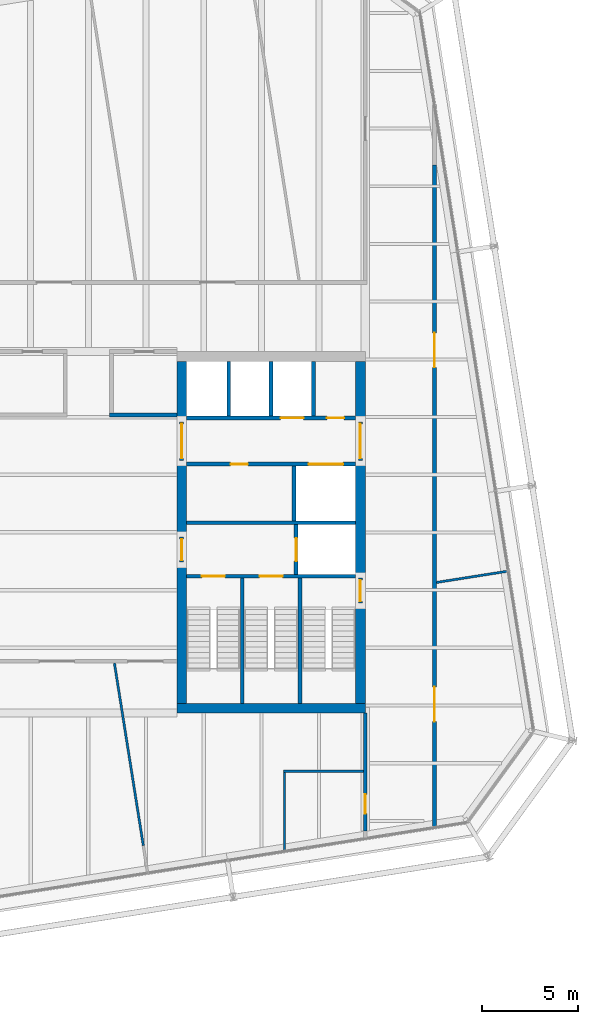
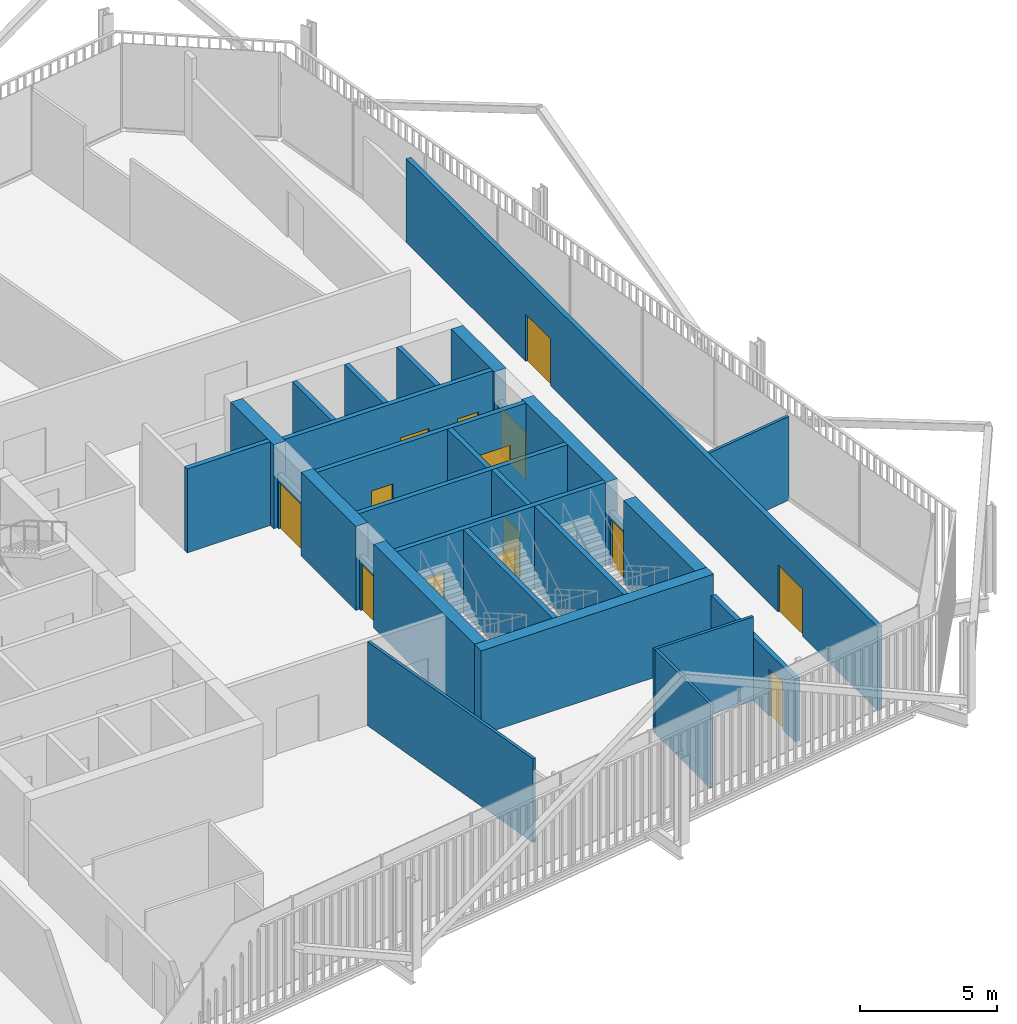
# One storey, part 18 of 21: 29 walls, 14 doors, 14 openings.
"""IFC4 building model written with IfcOpenShell, lengths in metres."""

from ifc_helpers import new_model, si_unit, direction, frame, frame_2d, origin, place, context, subcontext, project, spatial, rectangle, extrude, material, layer, layer_set, type_object, element, fill, save


model = new_model("IFC4")

# Units and contexts
model_context = context("Model", 3, precision=1e-05, world=origin(), true_north=direction((0.0, 1.0)))
body_context = subcontext(model_context, "Body", "Model", "MODEL_VIEW")
ifc_project = project(units=[si_unit("LENGTHUNIT", "METRE"), si_unit("AREAUNIT", "SQUARE_METRE"), si_unit("VOLUMEUNIT", "CUBIC_METRE"), si_unit("PLANEANGLEUNIT", "RADIAN"), si_unit("MASSUNIT", "GRAM", prefix="KILO")], contexts=[model_context])

# Site, building, storey
site_placement = place(None, origin())
site = spatial("IfcSite", under=ifc_project, at=site_placement, CompositionType="ELEMENT")
building_placement = place(site_placement, origin())
building = spatial("IfcBuilding", under=site, at=building_placement, Name="Millrace Tower", CompositionType="ELEMENT")
storey_placement = place(building_placement, frame((0.0, 0.0, 220.300048828125)))
storey = spatial("IfcBuildingStorey", under=building, at=storey_placement, Name="L50", CompositionType="ELEMENT", Elevation=220.300048828125)

# Walls
ifc_material_1 = material(Name="Concrete C60", Category="concrete")
ifc_layer_1 = layer(ifc_material_1, 0.5)
ifc_layer_set_1 = layer_set([ifc_layer_1], Name="Concrete C60")
wall_type_1 = type_object("IfcWallType", Name="Core wall 500 Concrete C60", PredefinedType="SHEAR", material=ifc_layer_set_1)
wall_1_placement = place(storey_placement, frame((14.39990234375, -9.14990234375, 0.0), z_axis=(0.0, 0.0, 1.0), x_axis=(-1.0, 0.0, 0.0)))
element("IfcWall", 1, at=wall_1_placement, inside=storey, type_object=wall_type_1, Name="Core wall E L50", PredefinedType="SHEAR", context=body_context, shape_type="SweptSolid", body=[
    extrude(rectangle(XDim=9.7998046875, YDim=0.5, at=frame_2d((4.89990234375, 0.0))), origin(), (0.0, 0.0, 1.0), 3.739990234375),
])
wall_2_placement = place(storey_placement, frame((14.14990234375, 8.89990234375, 0.0), z_axis=(0.0, 0.0, 1.0), x_axis=(0.0, -1.0, 0.0)))
element("IfcWall", 2, at=wall_2_placement, inside=storey, type_object=wall_type_1, Name="Core wall E L50", PredefinedType="SHEAR", context=body_context, shape_type="SweptSolid", body=[
    extrude(rectangle(XDim=3.14990234375, YDim=0.5, at=frame_2d((1.574951171875, 0.0))), origin(), (0.0, 0.0, 1.0), 3.739990234375),
])
wall_3_placement = place(storey_placement, frame((14.14990234375, 3.75, 0.0), z_axis=(0.0, 0.0, 1.0), x_axis=(0.0, -1.0, 0.0)))
element("IfcWall", 3, at=wall_3_placement, inside=storey, type_object=wall_type_1, Name="Core wall E L50", PredefinedType="SHEAR", context=body_context, shape_type="SweptSolid", body=[
    extrude(rectangle(XDim=6.1298828125, YDim=0.5, at=frame_2d((3.06494140625, 0.0))), origin(), (0.0, 0.0, 1.0), 3.739990234375),
])
wall_4_placement = place(storey_placement, frame((14.14990234375, -3.679931640625, 0.0), z_axis=(0.0, 0.0, 1.0), x_axis=(0.0, -1.0, 0.0)))
element("IfcWall", 4, at=wall_4_placement, inside=storey, type_object=wall_type_1, Name="Core wall E L50", PredefinedType="SHEAR", context=body_context, shape_type="SweptSolid", body=[
    extrude(rectangle(XDim=5.219970703125, YDim=0.5, at=frame_2d((2.60986328125, 0.0))), origin(), (0.0, 0.0, 1.0), 3.739990234375),
])
wall_5_placement = place(storey_placement, frame((4.85009765625, 8.89990234375, 0.0), z_axis=(0.0, 0.0, 1.0), x_axis=(0.0, -1.0, 0.0)))
element("IfcWall", 5, at=wall_5_placement, inside=storey, type_object=wall_type_1, Name="Core wall E L50", PredefinedType="SHEAR", context=body_context, shape_type="SweptSolid", body=[
    extrude(rectangle(XDim=3.14990234375, YDim=0.5, at=frame_2d((1.574951171875, 0.0))), origin(), (0.0, 0.0, 1.0), 3.739990234375),
])
wall_6_placement = place(storey_placement, frame((4.85009765625, 3.75, 0.0), z_axis=(0.0, 0.0, 1.0), x_axis=(0.0, -1.0, 0.0)))
element("IfcWall", 6, at=wall_6_placement, inside=storey, type_object=wall_type_1, Name="Core wall E L50", PredefinedType="SHEAR", context=body_context, shape_type="SweptSolid", body=[
    extrude(rectangle(XDim=4.0, YDim=0.5, at=frame_2d((2.0, 0.0))), origin(), (0.0, 0.0, 1.0), 3.739990234375),
])
wall_7_placement = place(storey_placement, frame((4.85009765625, -1.550048828125, 0.0), z_axis=(0.0, 0.0, 1.0), x_axis=(0.0, -1.0, 0.0)))
element("IfcWall", 7, at=wall_7_placement, inside=storey, type_object=wall_type_1, Name="Core wall E L50", PredefinedType="SHEAR", context=body_context, shape_type="SweptSolid", body=[
    extrude(rectangle(XDim=7.349853515625, YDim=0.5, at=frame_2d((3.6748046875, 0.0))), origin(), (0.0, 0.0, 1.0), 3.739990234375),
])
ifc_material_2 = material(Name="Masonry partition, fire-rated", Category="masonry")
ifc_layer_2 = layer(ifc_material_2, 0.199951171875)
ifc_layer_set_2 = layer_set([ifc_layer_2], Name="Masonry partition, fire-rated")
wall_type_2 = type_object("IfcWallType", Name="Corridor wall 200", PredefinedType="PARTITIONING", material=ifc_layer_set_2)
wall_8_placement = place(storey_placement, frame((1.10009765625, 6.10009765625, 0.0), z_axis=(0.0, 0.0, 1.0), x_axis=(1.0, 0.0, 0.0)))
element("IfcWall", 8, at=wall_8_placement, inside=storey, type_object=wall_type_2, Name="Corridor wall L50", PredefinedType="PARTITIONING", context=body_context, shape_type="SweptSolid", body=[
    extrude(rectangle(XDim=3.5, YDim=0.199951171875, at=frame_2d((1.75, 0.0))), origin(), (0.0, 0.0, 1.0), 3.739990234375),
])

# Wall, openings, doors
wall_9_placement = place(storey_placement, frame((18.0, -15.304443359375, 0.0), z_axis=(0.0, 0.0, 1.0), x_axis=(0.0, 1.0, 0.0)))
wall_9 = element("IfcWall", 9, at=wall_9_placement, inside=storey, type_object=wall_type_2, Name="Corridor wall L50", PredefinedType="PARTITIONING", context=body_context, shape_type="SweptSolid", body=[
    extrude(rectangle(XDim=34.421630859375, YDim=0.199951171875, at=frame_2d((17.2109375, 0.0))), origin(), (0.0, 0.0, 1.0), 3.739990234375),
])
opening_1_placement = place(wall_9_placement, frame((5.46826171875, 0.0, 0.0)))
opening_1 = element("IfcOpeningElement", 10, at=opening_1_placement, cuts=wall_9, Name="Opening 50-P012", PredefinedType="OPENING", context=body_context, shape_type="SweptSolid", body=[
    extrude(rectangle(XDim=1.800048828125, YDim=2.10009765625, at=frame_2d((0.89990234375, 1.050048828125))), frame((0.0, 0.10986328125, 0.0), z_axis=(0.0, -1.0, 0.0), x_axis=(1.0, 0.0, 0.0)), (0.0, 0.0, 1.0), 0.219970703125),
])
opening_2_placement = place(wall_9_placement, frame((23.887939453125, 0.0, 0.0)))
opening_2 = element("IfcOpeningElement", 11, at=opening_2_placement, cuts=wall_9, Name="Opening 50-P013", PredefinedType="OPENING", context=body_context, shape_type="SweptSolid", body=[
    extrude(rectangle(XDim=1.800048828125, YDim=2.10009765625, at=frame_2d((0.89990234375, 1.050048828125))), frame((0.0, 0.10986328125, 0.0), z_axis=(0.0, -1.0, 0.0), x_axis=(1.0, 0.0, 0.0)), (0.0, 0.0, 1.0), 0.219970703125),
])
ifc_material_3 = material(Name="Steel door set, fire-rated", Category="steel")
door_type_1 = type_object("IfcDoorType", Name="Corridor door 1800 x 2100", OperationType="DOUBLE_DOOR_SINGLE_SWING", PredefinedType="DOOR", material=ifc_material_3)
door_1_placement = place(opening_1_placement, frame((1.800048828125, 0.0, 0.0), z_axis=(0.0, 0.0, 1.0), x_axis=(-1.0, 0.0, 0.0)))
door_1 = element("IfcDoor", 12, at=door_1_placement, inside=storey, type_object=door_type_1, Name="Door 50-P012", OperationType="DOUBLE_DOOR_SINGLE_SWING", OverallHeight=2.10009765625, OverallWidth=1.800048828125, PredefinedType="DOOR", context=body_context, shape_type="SweptSolid", body=[
    extrude(rectangle(XDim=1.800048828125, YDim=2.10009765625, at=frame_2d((0.89990234375, 1.050048828125))), frame((0.0, 0.02490234375, 0.0), z_axis=(0.0, -1.0, 0.0), x_axis=(1.0, 0.0, 0.0)), (0.0, 0.0, 1.0), 0.050048828125),
])
fill(opening_1, door_1)
door_2_placement = place(opening_2_placement, frame((1.800048828125, 0.0, 0.0), z_axis=(0.0, 0.0, 1.0), x_axis=(-1.0, 0.0, 0.0)))
door_2 = element("IfcDoor", 13, at=door_2_placement, inside=storey, type_object=door_type_1, Name="Door 50-P013", OperationType="DOUBLE_DOOR_SINGLE_SWING", OverallHeight=2.10009765625, OverallWidth=1.800048828125, PredefinedType="DOOR", context=body_context, shape_type="SweptSolid", body=[
    extrude(rectangle(XDim=1.800048828125, YDim=2.10009765625, at=frame_2d((0.89990234375, 1.050048828125))), frame((0.0, 0.02490234375, 0.0), z_axis=(0.0, -1.0, 0.0), x_axis=(1.0, 0.0, 0.0)), (0.0, 0.0, 1.0), 0.050048828125),
])
fill(opening_2, door_2)

# Wall, opening, door
wall_10_placement = place(storey_placement, frame((14.39990234375, -15.52490234375, 0.0), z_axis=(0.0, 0.0, 1.0), x_axis=(0.0, 1.0, 0.0)))
wall_10 = element("IfcWall", 14, at=wall_10_placement, inside=storey, type_object=wall_type_2, Name="Corridor wall L50", PredefinedType="PARTITIONING", context=body_context, shape_type="SweptSolid", body=[
    extrude(rectangle(XDim=6.125, YDim=0.199951171875, at=frame_2d((3.0625, 0.0))), origin(), (0.0, 0.0, 1.0), 2.812744140625),
])
opening_3_placement = place(wall_10_placement, frame((0.90087890625, 0.0, 0.0)))
opening_3 = element("IfcOpeningElement", 15, at=opening_3_placement, cuts=wall_10, Name="Opening 50-P018", PredefinedType="OPENING", context=body_context, shape_type="SweptSolid", body=[
    extrude(rectangle(XDim=1.0, YDim=2.10009765625, at=frame_2d((0.5, 1.050048828125))), frame((0.0, 0.10986328125, 0.0), z_axis=(0.0, -1.0, 0.0), x_axis=(1.0, 0.0, 0.0)), (0.0, 0.0, 1.0), 0.219970703125),
])
ifc_material_4 = material(Name="Steel door set, fire-rated", Category="steel")
door_type_2 = type_object("IfcDoorType", Name="Corridor door 1000 x 2100", OperationType="SINGLE_SWING_LEFT", PredefinedType="DOOR", material=ifc_material_4)
door_3_placement = place(opening_3_placement, origin())
door_3 = element("IfcDoor", 16, at=door_3_placement, inside=storey, type_object=door_type_2, Name="Door 50-P018", OperationType="SINGLE_SWING_LEFT", OverallHeight=2.10009765625, OverallWidth=1.0, PredefinedType="DOOR", context=body_context, shape_type="SweptSolid", body=[
    extrude(rectangle(XDim=1.0, YDim=2.10009765625, at=frame_2d((0.5, 1.050048828125))), frame((0.0, 0.02490234375, 0.0), z_axis=(0.0, -1.0, 0.0), x_axis=(1.0, 0.0, 0.0)), (0.0, 0.0, 1.0), 0.050048828125),
])
fill(opening_3, door_3)

# Wall, openings, doors
ifc_material_5 = material(Name="Masonry partition, fire-rated", Category="masonry")
ifc_layer_3 = layer(ifc_material_5, 0.199951171875)
ifc_layer_set_3 = layer_set([ifc_layer_3], Name="Masonry partition, fire-rated")
wall_type_3 = type_object("IfcWallType", Name="Lift shaft wall 200", PredefinedType="PARTITIONING", material=ifc_layer_set_3)
wall_11_placement = place(storey_placement, frame((13.89990234375, 5.949951171875, 0.0), z_axis=(0.0, 0.0, 1.0), x_axis=(-1.0, 0.0, 0.0)))
wall_11 = element("IfcWall", 17, at=wall_11_placement, inside=storey, type_object=wall_type_3, Name="Lift shaft wall E L50", PredefinedType="PARTITIONING", context=body_context, shape_type="SweptSolid", body=[
    extrude(rectangle(XDim=8.7998046875, YDim=0.199951171875, at=frame_2d((4.39990234375, 0.0))), origin(), (0.0, 0.0, 1.0), 3.739990234375),
])
opening_4_placement = place(wall_11_placement, frame((2.699951171875, 0.0, 0.0)))
opening_4 = element("IfcOpeningElement", 18, at=opening_4_placement, cuts=wall_11, Name="Opening 50-LD10", PredefinedType="OPENING", context=body_context, shape_type="SweptSolid", body=[
    extrude(rectangle(XDim=1.199951171875, YDim=2.10009765625, at=frame_2d((0.60009765625, 1.050048828125))), frame((0.0, 0.10986328125, 0.0), z_axis=(0.0, -1.0, 0.0), x_axis=(1.0, 0.0, 0.0)), (0.0, 0.0, 1.0), 0.219970703125),
])
opening_5_placement = place(wall_11_placement, frame((0.60009765625, 0.0, 0.0)))
opening_5 = element("IfcOpeningElement", 19, at=opening_5_placement, cuts=wall_11, Name="Opening 50-C013", PredefinedType="OPENING", context=body_context, shape_type="SweptSolid", body=[
    extrude(rectangle(XDim=0.89990234375, YDim=2.10009765625, at=frame_2d((0.449951171875, 1.050048828125))), frame((0.0, 0.10986328125, 0.0), z_axis=(0.0, -1.0, 0.0), x_axis=(1.0, 0.0, 0.0)), (0.0, 0.0, 1.0), 0.219970703125),
])
ifc_material_6 = material(Name="Stainless steel, fire-rated", Category="steel")
door_type_3 = type_object("IfcDoorType", Name="Lift landing door 1200 x 2100", OperationType="DOUBLE_DOOR_SLIDING", PredefinedType="DOOR", material=ifc_material_6)
door_4_placement = place(opening_4_placement, origin())
door_4 = element("IfcDoor", 20, at=door_4_placement, inside=storey, type_object=door_type_3, Name="Lift landing door LF10 L50", OperationType="DOUBLE_DOOR_SLIDING", OverallHeight=2.10009765625, OverallWidth=1.199951171875, PredefinedType="DOOR", context=body_context, shape_type="SweptSolid", body=[
    extrude(rectangle(XDim=1.199951171875, YDim=2.10009765625, at=frame_2d((0.60009765625, 1.050048828125))), frame((0.0, 0.02490234375, 0.0), z_axis=(0.0, -1.0, 0.0), x_axis=(1.0, 0.0, 0.0)), (0.0, 0.0, 1.0), 0.050048828125),
])
fill(opening_4, door_4)
ifc_material_7 = material(Name="Steel door, fire-rated", Category="steel")
door_type_4 = type_object("IfcDoorType", Name="Service room door 900 x 2100", OperationType="SINGLE_SWING_LEFT", PredefinedType="DOOR", material=ifc_material_7)
door_5_placement = place(opening_5_placement, frame((0.89990234375, 0.0, 0.0), z_axis=(0.0, 0.0, 1.0), x_axis=(-1.0, 0.0, 0.0)))
door_5 = element("IfcDoor", 21, at=door_5_placement, inside=storey, type_object=door_type_4, Name="Service room door 50-C013", OperationType="SINGLE_SWING_RIGHT", OverallHeight=2.10009765625, OverallWidth=0.89990234375, PredefinedType="DOOR", context=body_context, shape_type="SweptSolid", body=[
    extrude(rectangle(XDim=0.89990234375, YDim=2.10009765625, at=frame_2d((0.449951171875, 1.050048828125))), frame((0.0, 0.02490234375, 0.0), z_axis=(0.0, -1.0, 0.0), x_axis=(1.0, 0.0, 0.0)), (0.0, 0.0, 1.0), 0.050048828125),
])
fill(opening_5, door_5)

wall_12_placement = place(storey_placement, frame((13.89990234375, 3.550048828125, 0.0), z_axis=(0.0, 0.0, 1.0), x_axis=(-1.0, 0.0, 0.0)))
wall_12 = element("IfcWall", 22, at=wall_12_placement, inside=storey, type_object=wall_type_3, Name="Lift shaft wall E L50", PredefinedType="PARTITIONING", context=body_context, shape_type="SweptSolid", body=[
    extrude(rectangle(XDim=8.7998046875, YDim=0.199951171875, at=frame_2d((4.39990234375, 0.0))), origin(), (0.0, 0.0, 1.0), 3.739990234375),
])
opening_6_placement = place(wall_12_placement, frame((0.64990234375, 0.0, 0.0)))
opening_6 = element("IfcOpeningElement", 23, at=opening_6_placement, cuts=wall_12, Name="Opening 50-LD13", PredefinedType="OPENING", context=body_context, shape_type="SweptSolid", body=[
    extrude(rectangle(XDim=1.800048828125, YDim=2.10009765625, at=frame_2d((0.89990234375, 1.050048828125))), frame((0.0, 0.10986328125, 0.0), z_axis=(0.0, -1.0, 0.0), x_axis=(1.0, 0.0, 0.0)), (0.0, 0.0, 1.0), 0.219970703125),
])
opening_7_placement = place(wall_12_placement, frame((5.60009765625, 0.0, 0.0)))
opening_7 = element("IfcOpeningElement", 24, at=opening_7_placement, cuts=wall_12, Name="Opening 50-C014", PredefinedType="OPENING", context=body_context, shape_type="SweptSolid", body=[
    extrude(rectangle(XDim=0.89990234375, YDim=2.10009765625, at=frame_2d((0.449951171875, 1.050048828125))), frame((0.0, 0.10986328125, 0.0), z_axis=(0.0, -1.0, 0.0), x_axis=(1.0, 0.0, 0.0)), (0.0, 0.0, 1.0), 0.219970703125),
])
ifc_material_8 = material(Name="Stainless steel, fire-rated", Category="steel")
door_type_5 = type_object("IfcDoorType", Name="Lift landing door 1800 x 2100", OperationType="DOUBLE_DOOR_SLIDING", PredefinedType="DOOR", material=ifc_material_8)
door_6_placement = place(opening_6_placement, origin())
door_6 = element("IfcDoor", 25, at=door_6_placement, inside=storey, type_object=door_type_5, Name="Lift landing door LF13 L50", OperationType="DOUBLE_DOOR_SLIDING", OverallHeight=2.10009765625, OverallWidth=1.800048828125, PredefinedType="DOOR", context=body_context, shape_type="SweptSolid", body=[
    extrude(rectangle(XDim=1.800048828125, YDim=2.10009765625, at=frame_2d((0.89990234375, 1.050048828125))), frame((0.0, 0.02490234375, 0.0), z_axis=(0.0, -1.0, 0.0), x_axis=(1.0, 0.0, 0.0)), (0.0, 0.0, 1.0), 0.050048828125),
])
fill(opening_6, door_6)
door_7_placement = place(opening_7_placement, origin())
door_7 = element("IfcDoor", 26, at=door_7_placement, inside=storey, type_object=door_type_4, Name="Service room door 50-C014", OperationType="SINGLE_SWING_RIGHT", OverallHeight=2.10009765625, OverallWidth=0.89990234375, PredefinedType="DOOR", context=body_context, shape_type="SweptSolid", body=[
    extrude(rectangle(XDim=0.89990234375, YDim=2.10009765625, at=frame_2d((0.449951171875, 1.050048828125))), frame((0.0, 0.02490234375, 0.0), z_axis=(0.0, -1.0, 0.0), x_axis=(1.0, 0.0, 0.0)), (0.0, 0.0, 1.0), 0.050048828125),
])
fill(opening_7, door_7)

# Wall
wall_13_placement = place(storey_placement, frame((13.89990234375, 0.5, 0.0), z_axis=(0.0, 0.0, 1.0), x_axis=(-1.0, 0.0, 0.0)))
element("IfcWall", 27, at=wall_13_placement, inside=storey, type_object=wall_type_3, Name="Lift shaft wall E L50", PredefinedType="PARTITIONING", context=body_context, shape_type="SweptSolid", body=[
    extrude(rectangle(XDim=8.7998046875, YDim=0.199951171875, at=frame_2d((4.39990234375, 0.0))), origin(), (0.0, 0.0, 1.0), 3.739990234375),
])

# Wall, opening, door
wall_14_placement = place(storey_placement, frame((10.800048828125, 0.39990234375, 0.0), z_axis=(0.0, 0.0, 1.0), x_axis=(0.0, -1.0, 0.0)))
wall_14 = element("IfcWall", 28, at=wall_14_placement, inside=storey, type_object=wall_type_3, Name="Lift shaft wall E L50", PredefinedType="PARTITIONING", context=body_context, shape_type="SweptSolid", body=[
    extrude(rectangle(XDim=2.579833984375, YDim=0.199951171875, at=frame_2d((1.2900390625, 0.0))), origin(), (0.0, 0.0, 1.0), 3.739990234375),
])
opening_8_placement = place(wall_14_placement, frame((0.68994140625, 0.0, 0.0)))
opening_8 = element("IfcOpeningElement", 29, at=opening_8_placement, cuts=wall_14, Name="Opening 50-LD16", PredefinedType="OPENING", context=body_context, shape_type="SweptSolid", body=[
    extrude(rectangle(XDim=1.199951171875, YDim=2.10009765625, at=frame_2d((0.60009765625, 1.050048828125))), frame((0.0, 0.10986328125, 0.0), z_axis=(0.0, -1.0, 0.0), x_axis=(1.0, 0.0, 0.0)), (0.0, 0.0, 1.0), 0.219970703125),
])
door_8_placement = place(opening_8_placement, origin())
door_8 = element("IfcDoor", 30, at=door_8_placement, inside=storey, type_object=door_type_3, Name="Lift landing door LF16 L50", OperationType="DOUBLE_DOOR_SLIDING", OverallHeight=2.10009765625, OverallWidth=1.199951171875, PredefinedType="DOOR", context=body_context, shape_type="SweptSolid", body=[
    extrude(rectangle(XDim=1.199951171875, YDim=2.10009765625, at=frame_2d((0.60009765625, 1.050048828125))), frame((0.0, 0.02490234375, 0.0), z_axis=(0.0, -1.0, 0.0), x_axis=(1.0, 0.0, 0.0)), (0.0, 0.0, 1.0), 0.050048828125),
])
fill(opening_8, door_8)

# Walls
for number, where, z_axis, x_axis, name in (
    (31, (11.699951171875, 8.89990234375, 0.0), (0.0, 0.0, 1.0), (0.0, -1.0, 0.0), "Lift shaft wall E L50"),
    (32, (9.5, 8.89990234375, 0.0), (0.0, 0.0, 1.0), (0.0, -1.0, 0.0), "Lift shaft wall E L50"),
    (33, (7.300048828125, 8.89990234375, 0.0), (0.0, 0.0, 1.0), (0.0, -1.0, 0.0), "Lift shaft wall E L50"),
    (34, (10.699951171875, 3.449951171875, 0.0), (0.0, 0.0, 1.0), (0.0, -1.0, 0.0), "Lift shaft wall E L50"),
):
    element("IfcWall", number, at=place(storey_placement, frame(where, z_axis=z_axis, x_axis=x_axis)), inside=storey, type_object=wall_type_3, Name=name, PredefinedType="PARTITIONING", context=body_context, shape_type="SweptSolid", body=[
        extrude(rectangle(XDim=2.849853515625, YDim=0.199951171875, at=frame_2d((1.4248046875, 0.0))), origin(), (0.0, 0.0, 1.0), 3.739990234375),
    ])

# Wall, opening, door
ifc_material_9 = material(Name="Masonry partition, fire-rated", Category="masonry")
ifc_layer_4 = layer(ifc_material_9, 0.199951171875)
ifc_layer_set_4 = layer_set([ifc_layer_4], Name="Masonry partition, fire-rated")
wall_type_4 = type_object("IfcWallType", Name="Lobby wall 200", PredefinedType="PARTITIONING", material=ifc_layer_set_4)
wall_15_placement = place(storey_placement, frame((14.14990234375, 5.75, 0.0), z_axis=(0.0, 0.0, 1.0), x_axis=(0.0, -1.0, 0.0)))
wall_15 = element("IfcWall", 35, at=wall_15_placement, inside=storey, type_object=wall_type_4, Name="Lobby wall E L50", PredefinedType="PARTITIONING", context=body_context, shape_type="SweptSolid", body=[
    extrude(rectangle(XDim=2.0, YDim=0.199951171875, at=frame_2d((1.0, 0.0))), origin(), (0.0, 0.0, 1.0), 2.39990234375),
])
opening_9_placement = place(wall_15_placement, frame((0.10009765625, 0.0, 0.0)))
opening_9 = element("IfcOpeningElement", 36, at=opening_9_placement, cuts=wall_15, Name="Opening 50-C009", PredefinedType="OPENING", context=body_context, shape_type="SweptSolid", body=[
    extrude(rectangle(XDim=1.800048828125, YDim=2.10009765625, at=frame_2d((0.89990234375, 1.050048828125))), frame((0.0, 0.10986328125, 0.0), z_axis=(0.0, -1.0, 0.0), x_axis=(1.0, 0.0, 0.0)), (0.0, 0.0, 1.0), 0.219970703125),
])
ifc_material_10 = material(Name="Steel door, fire-rated", Category="steel")
door_type_6 = type_object("IfcDoorType", Name="Lobby door 1800 x 2100", OperationType="DOUBLE_DOOR_SINGLE_SWING", PredefinedType="DOOR", material=ifc_material_10)
door_9_placement = place(opening_9_placement, origin())
door_9 = element("IfcDoor", 37, at=door_9_placement, inside=storey, type_object=door_type_6, Name="Lobby door 50-C009", OperationType="DOUBLE_DOOR_SINGLE_SWING", OverallHeight=2.10009765625, OverallWidth=1.800048828125, PredefinedType="DOOR", context=body_context, shape_type="SweptSolid", body=[
    extrude(rectangle(XDim=1.800048828125, YDim=2.10009765625, at=frame_2d((0.89990234375, 1.050048828125))), frame((0.0, 0.02490234375, 0.0), z_axis=(0.0, -1.0, 0.0), x_axis=(1.0, 0.0, 0.0)), (0.0, 0.0, 1.0), 0.050048828125),
])
fill(opening_9, door_9)

wall_16_placement = place(storey_placement, frame((4.85009765625, 5.75, 0.0), z_axis=(0.0, 0.0, 1.0), x_axis=(0.0, -1.0, 0.0)))
wall_16 = element("IfcWall", 38, at=wall_16_placement, inside=storey, type_object=wall_type_4, Name="Lobby wall E L50", PredefinedType="PARTITIONING", context=body_context, shape_type="SweptSolid", body=[
    extrude(rectangle(XDim=2.0, YDim=0.199951171875, at=frame_2d((1.0, 0.0))), origin(), (0.0, 0.0, 1.0), 2.39990234375),
])
opening_10_placement = place(wall_16_placement, frame((0.10009765625, 0.0, 0.0)))
opening_10 = element("IfcOpeningElement", 39, at=opening_10_placement, cuts=wall_16, Name="Opening 50-C011", PredefinedType="OPENING", context=body_context, shape_type="SweptSolid", body=[
    extrude(rectangle(XDim=1.800048828125, YDim=2.10009765625, at=frame_2d((0.89990234375, 1.050048828125))), frame((0.0, 0.10986328125, 0.0), z_axis=(0.0, -1.0, 0.0), x_axis=(1.0, 0.0, 0.0)), (0.0, 0.0, 1.0), 0.219970703125),
])
door_10_placement = place(opening_10_placement, frame((1.800048828125, 0.0, 0.0), z_axis=(0.0, 0.0, 1.0), x_axis=(-1.0, 0.0, 0.0)))
door_10 = element("IfcDoor", 40, at=door_10_placement, inside=storey, type_object=door_type_6, Name="Lobby door 50-C011", OperationType="DOUBLE_DOOR_SINGLE_SWING", OverallHeight=2.10009765625, OverallWidth=1.800048828125, PredefinedType="DOOR", context=body_context, shape_type="SweptSolid", body=[
    extrude(rectangle(XDim=1.800048828125, YDim=2.10009765625, at=frame_2d((0.89990234375, 1.050048828125))), frame((0.0, 0.02490234375, 0.0), z_axis=(0.0, -1.0, 0.0), x_axis=(1.0, 0.0, 0.0)), (0.0, 0.0, 1.0), 0.050048828125),
])
fill(opening_10, door_10)

wall_17_placement = place(storey_placement, frame((4.85009765625, -0.25, 0.0), z_axis=(0.0, 0.0, 1.0), x_axis=(0.0, -1.0, 0.0)))
wall_17 = element("IfcWall", 41, at=wall_17_placement, inside=storey, type_object=wall_type_4, Name="Lobby wall E L50", PredefinedType="PARTITIONING", context=body_context, shape_type="SweptSolid", body=[
    extrude(rectangle(XDim=1.300048828125, YDim=0.199951171875, at=frame_2d((0.64990234375, 0.0))), origin(), (0.0, 0.0, 1.0), 2.39990234375),
])
opening_11_placement = place(wall_17_placement, frame((0.10009765625, 0.0, 0.0)))
opening_11 = element("IfcOpeningElement", 42, at=opening_11_placement, cuts=wall_17, Name="Opening 50-C012", PredefinedType="OPENING", context=body_context, shape_type="SweptSolid", body=[
    extrude(rectangle(XDim=1.10009765625, YDim=2.10009765625, at=frame_2d((0.550048828125, 1.050048828125))), frame((0.0, 0.10986328125, 0.0), z_axis=(0.0, -1.0, 0.0), x_axis=(1.0, 0.0, 0.0)), (0.0, 0.0, 1.0), 0.219970703125),
])
ifc_material_11 = material(Name="Steel door, fire-rated", Category="steel")
door_type_7 = type_object("IfcDoorType", Name="Lobby door 1100 x 2100", OperationType="SINGLE_SWING_LEFT", PredefinedType="DOOR", material=ifc_material_11)
door_11_placement = place(opening_11_placement, frame((1.10009765625, 0.0, 0.0), z_axis=(0.0, 0.0, 1.0), x_axis=(-1.0, 0.0, 0.0)))
door_11 = element("IfcDoor", 43, at=door_11_placement, inside=storey, type_object=door_type_7, Name="Lobby door 50-C012", OperationType="SINGLE_SWING_RIGHT", OverallHeight=2.10009765625, OverallWidth=1.10009765625, PredefinedType="DOOR", context=body_context, shape_type="SweptSolid", body=[
    extrude(rectangle(XDim=1.10009765625, YDim=2.10009765625, at=frame_2d((0.550048828125, 1.050048828125))), frame((0.0, 0.02490234375, 0.0), z_axis=(0.0, -1.0, 0.0), x_axis=(1.0, 0.0, 0.0)), (0.0, 0.0, 1.0), 0.050048828125),
])
fill(opening_11, door_11)

# Walls
ifc_material_12 = material(Name="Gypsum board partition")
ifc_layer_5 = layer(ifc_material_12, 0.1201171875)
ifc_layer_set_5 = layer_set([ifc_layer_5], Name="Gypsum board partition")
wall_type_5 = type_object("IfcWallType", Name="Partition wall 120", PredefinedType="PARTITIONING", material=ifc_layer_set_5)
wall_18_placement = place(storey_placement, frame((1.355712890625, -6.798828125, 0.0), z_axis=(0.0, 0.0, 1.0), x_axis=(0.15639059341, -0.98769528818, 0.0)))
element("IfcWall", 44, at=wall_18_placement, inside=storey, type_object=wall_type_5, Name="Partition wall L50", PredefinedType="PARTITIONING", context=body_context, shape_type="SweptSolid", body=[
    extrude(rectangle(XDim=9.60693359375, YDim=0.1201171875, at=frame_2d((4.803466796875, 0.0))), origin(), (0.0, 0.0, 1.0), 3.739990234375),
])
wall_19_placement = place(storey_placement, frame((10.14013671875, -12.424072265625, 0.0), z_axis=(0.0, 0.0, 1.0), x_axis=(1.0, 0.0, 0.0)))
element("IfcWall", 45, at=wall_19_placement, inside=storey, type_object=wall_type_5, Name="Partition wall L50", PredefinedType="PARTITIONING", context=body_context, shape_type="SweptSolid", body=[
    extrude(rectangle(XDim=4.159912109375, YDim=0.1201171875, at=frame_2d((2.080078125, 0.0))), origin(), (0.0, 0.0, 1.0), 3.739990234375),
])
wall_20_placement = place(storey_placement, frame((18.098876953125, -2.602294921875, 0.0), z_axis=(0.0, 0.0, 1.0), x_axis=(0.987708331923, 0.156308192521, 0.0)))
element("IfcWall", 46, at=wall_20_placement, inside=storey, type_object=wall_type_5, Name="Partition wall L50", PredefinedType="PARTITIONING", context=body_context, shape_type="SweptSolid", body=[
    extrude(rectangle(XDim=3.736083984375, YDim=0.1201171875, at=frame_2d((1.8681640625, 0.0))), origin(), (0.0, 0.0, 1.0), 3.739990234375),
])
wall_21_placement = place(storey_placement, frame((10.199951171875, -16.539794921875, 0.0), z_axis=(0.0, 0.0, 1.0), x_axis=(0.0, 1.0, 0.0)))
element("IfcWall", 47, at=wall_21_placement, inside=storey, type_object=wall_type_5, Name="Partition wall L50", PredefinedType="PARTITIONING", context=body_context, shape_type="SweptSolid", body=[
    extrude(rectangle(XDim=4.0556640625, YDim=0.1201171875, at=frame_2d((2.02783203125, 0.0))), origin(), (0.0, 0.0, 1.0), 3.739990234375),
])

# Wall, opening, door
ifc_material_13 = material(Name="Concrete C40", Category="concrete")
ifc_layer_6 = layer(ifc_material_13, 0.199951171875)
ifc_layer_set_6 = layer_set([ifc_layer_6], Name="Concrete C40")
wall_type_6 = type_object("IfcWallType", Name="Stair enclosure wall 200 Concrete C40", PredefinedType="SHEAR", material=ifc_layer_set_6)
wall_22_placement = place(storey_placement, frame((14.14990234375, -2.3798828125, 0.0), z_axis=(0.0, 0.0, 1.0), x_axis=(0.0, -1.0, 0.0)))
wall_22 = element("IfcWall", 48, at=wall_22_placement, inside=storey, type_object=wall_type_6, Name="Stair enclosure wall E L50", PredefinedType="SHEAR", context=body_context, shape_type="SweptSolid", body=[
    extrude(rectangle(XDim=1.300048828125, YDim=0.199951171875, at=frame_2d((0.64990234375, 0.0))), origin(), (0.0, 0.0, 1.0), 2.39990234375),
])
opening_12_placement = place(wall_22_placement, frame((0.10009765625, 0.0, 0.0)))
opening_12 = element("IfcOpeningElement", 49, at=opening_12_placement, cuts=wall_22, Name="Opening 50-C010", PredefinedType="OPENING", context=body_context, shape_type="SweptSolid", body=[
    extrude(rectangle(XDim=1.10009765625, YDim=2.10009765625, at=frame_2d((0.550048828125, 1.050048828125))), frame((0.0, 0.10986328125, 0.0), z_axis=(0.0, -1.0, 0.0), x_axis=(1.0, 0.0, 0.0)), (0.0, 0.0, 1.0), 0.219970703125),
])
ifc_material_14 = material(Name="Steel door, fire-rated", Category="steel")
door_type_8 = type_object("IfcDoorType", Name="Stair door 1100 x 2100", OperationType="SINGLE_SWING_LEFT", PredefinedType="DOOR", material=ifc_material_14)
door_12_placement = place(opening_12_placement, origin())
door_12 = element("IfcDoor", 50, at=door_12_placement, inside=storey, type_object=door_type_8, Name="Stair door 50-C010", OperationType="SINGLE_SWING_LEFT", OverallHeight=2.10009765625, OverallWidth=1.10009765625, PredefinedType="DOOR", context=body_context, shape_type="SweptSolid", body=[
    extrude(rectangle(XDim=1.10009765625, YDim=2.10009765625, at=frame_2d((0.550048828125, 1.050048828125))), frame((0.0, 0.02490234375, 0.0), z_axis=(0.0, -1.0, 0.0), x_axis=(1.0, 0.0, 0.0)), (0.0, 0.0, 1.0), 0.050048828125),
])
fill(opening_12, door_12)

# Wall, openings, doors
wall_23_placement = place(storey_placement, frame((13.89990234375, -2.280029296875, 0.0), z_axis=(0.0, 0.0, 1.0), x_axis=(-1.0, 0.0, 0.0)))
wall_23 = element("IfcWall", 51, at=wall_23_placement, inside=storey, type_object=wall_type_6, Name="Stair enclosure wall E L50", PredefinedType="SHEAR", context=body_context, shape_type="SweptSolid", body=[
    extrude(rectangle(XDim=8.7998046875, YDim=0.199951171875, at=frame_2d((4.39990234375, 0.0))), origin(), (0.0, 0.0, 1.0), 3.739990234375),
])
opening_13_placement = place(wall_23_placement, frame((3.800048828125, 0.0, 0.0)))
opening_13 = element("IfcOpeningElement", 52, at=opening_13_placement, cuts=wall_23, Name="Opening 50-C015", PredefinedType="OPENING", context=body_context, shape_type="SweptSolid", body=[
    extrude(rectangle(XDim=1.199951171875, YDim=2.10009765625, at=frame_2d((0.60009765625, 1.050048828125))), frame((0.0, 0.10986328125, 0.0), z_axis=(0.0, -1.0, 0.0), x_axis=(1.0, 0.0, 0.0)), (0.0, 0.0, 1.0), 0.219970703125),
])
opening_14_placement = place(wall_23_placement, frame((6.800048828125, 0.0, 0.0)))
opening_14 = element("IfcOpeningElement", 53, at=opening_14_placement, cuts=wall_23, Name="Opening 50-C016", PredefinedType="OPENING", context=body_context, shape_type="SweptSolid", body=[
    extrude(rectangle(XDim=1.199951171875, YDim=2.10009765625, at=frame_2d((0.60009765625, 1.050048828125))), frame((0.0, 0.10986328125, 0.0), z_axis=(0.0, -1.0, 0.0), x_axis=(1.0, 0.0, 0.0)), (0.0, 0.0, 1.0), 0.219970703125),
])
ifc_material_15 = material(Name="Steel door, fire-rated", Category="steel")
door_type_9 = type_object("IfcDoorType", Name="Stair door 1200 x 2100", OperationType="SINGLE_SWING_LEFT", PredefinedType="DOOR", material=ifc_material_15)
door_13_placement = place(opening_13_placement, frame((1.199951171875, 0.0, 0.0), z_axis=(0.0, 0.0, 1.0), x_axis=(-1.0, 0.0, 0.0)))
door_13 = element("IfcDoor", 54, at=door_13_placement, inside=storey, type_object=door_type_9, Name="Stair door 50-C015", OperationType="SINGLE_SWING_RIGHT", OverallHeight=2.10009765625, OverallWidth=1.199951171875, PredefinedType="DOOR", context=body_context, shape_type="SweptSolid", body=[
    extrude(rectangle(XDim=1.199951171875, YDim=2.10009765625, at=frame_2d((0.60009765625, 1.050048828125))), frame((0.0, 0.02490234375, 0.0), z_axis=(0.0, -1.0, 0.0), x_axis=(1.0, 0.0, 0.0)), (0.0, 0.0, 1.0), 0.050048828125),
])
fill(opening_13, door_13)
door_14_placement = place(opening_14_placement, frame((1.199951171875, 0.0, 0.0), z_axis=(0.0, 0.0, 1.0), x_axis=(-1.0, 0.0, 0.0)))
door_14 = element("IfcDoor", 55, at=door_14_placement, inside=storey, type_object=door_type_9, Name="Stair door 50-C016", OperationType="SINGLE_SWING_LEFT", OverallHeight=2.10009765625, OverallWidth=1.199951171875, PredefinedType="DOOR", context=body_context, shape_type="SweptSolid", body=[
    extrude(rectangle(XDim=1.199951171875, YDim=2.10009765625, at=frame_2d((0.60009765625, 1.050048828125))), frame((0.0, 0.02490234375, 0.0), z_axis=(0.0, -1.0, 0.0), x_axis=(1.0, 0.0, 0.0)), (0.0, 0.0, 1.0), 0.050048828125),
])
fill(opening_14, door_14)

# Walls
for number, where, z_axis, x_axis, name in (
    (56, (11.0, -2.3798828125, 0.0), (0.0, 0.0, 1.0), (0.0, -1.0, 0.0), "Stair enclosure wall E L50"),
    (57, (8.0, -2.3798828125, 0.0), (0.0, 0.0, 1.0), (0.0, -1.0, 0.0), "Stair enclosure wall E L50"),
):
    element("IfcWall", number, at=place(storey_placement, frame(where, z_axis=z_axis, x_axis=x_axis)), inside=storey, type_object=wall_type_6, Name=name, PredefinedType="SHEAR", context=body_context, shape_type="SweptSolid", body=[
        extrude(rectangle(XDim=6.52001953125, YDim=0.199951171875, at=frame_2d((3.260009765625, 0.0))), origin(), (0.0, 0.0, 1.0), 3.739990234375),
    ])

save(model, "model.ifc")
